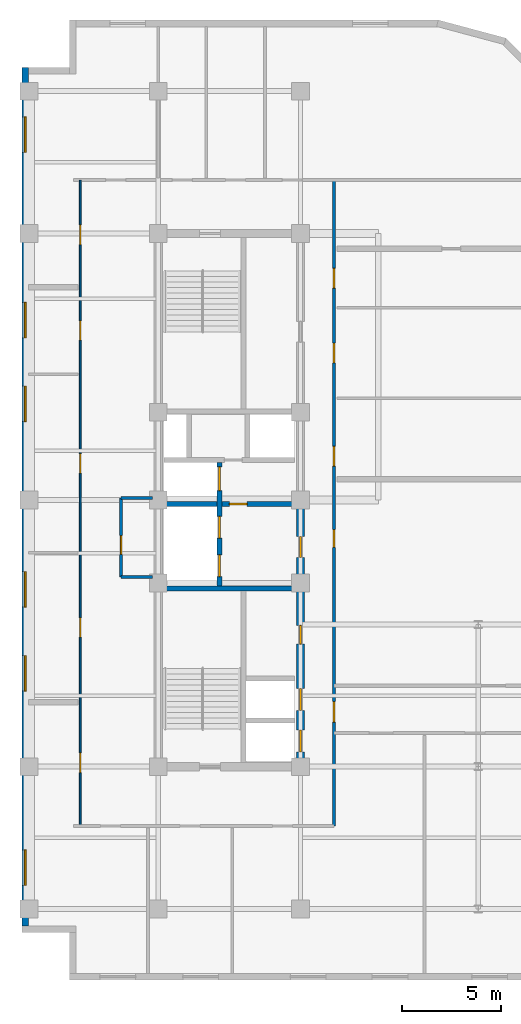
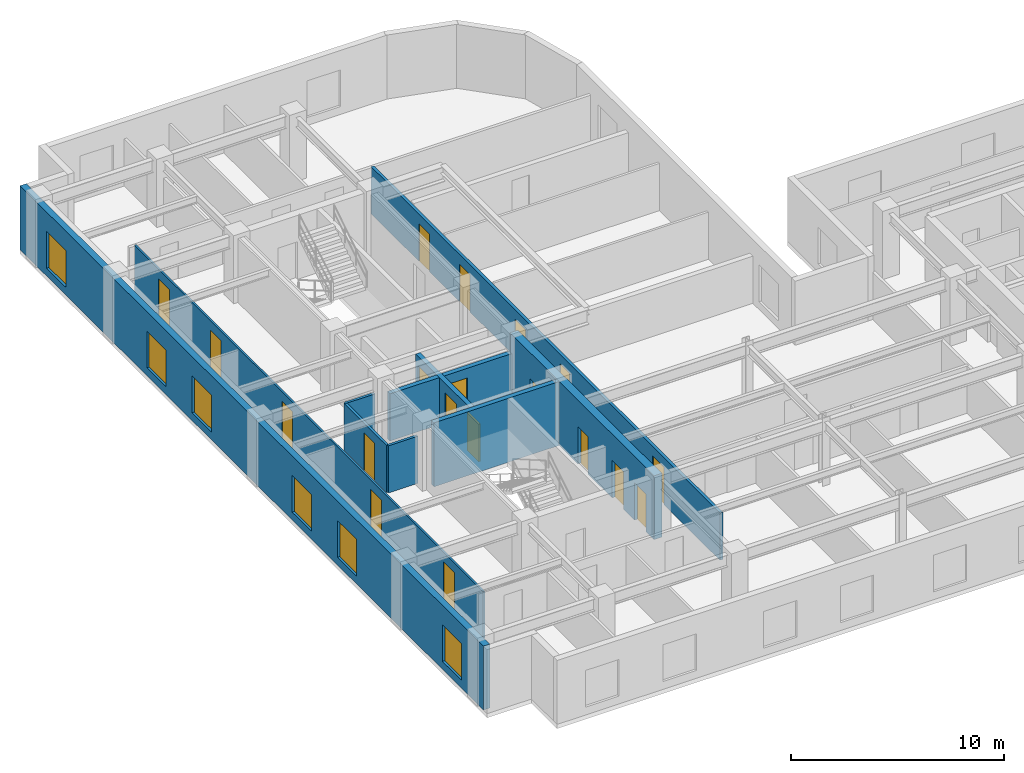
# One storey, part 4 of 10: 19 doors, 10 walls, 6 windows, 25 openings.
"""IFC4 building model written with IfcOpenShell, lengths in metres."""

from ifc_helpers import new_model, entity, si_unit, converted_unit, direction, frame, origin_with_axes, origin_2d_with_axis, place, context, subcontext, project, spatial, polyline, rectangle, outline, extrude, material, layer, layer_set, type_object, element, fill, save


model = new_model("IFC4")

# Units and contexts
model_context = context("Model", 3, precision=1e-05, world=origin_with_axes(), true_north=direction((0.0, 1.0)))
body_context = subcontext(model_context, "Body", "Model", "MODEL_VIEW")
ifc_project = project(units=[si_unit("LENGTHUNIT", "METRE"), si_unit("AREAUNIT", "SQUARE_METRE"), si_unit("VOLUMEUNIT", "CUBIC_METRE"), converted_unit("PLANEANGLEUNIT", "DEGREE", entity("IfcPlaneAngleMeasure", 0.017453292519943295), si_unit("PLANEANGLEUNIT", "RADIAN"), dimensions=[0, 0, 0, 0, 0, 0, 0]), si_unit("MASSUNIT", "GRAM", prefix="KILO"), si_unit("THERMODYNAMICTEMPERATUREUNIT", "KELVIN")], contexts=[model_context])

# Site, building, storey
site_placement = place(None, origin_with_axes())
site = spatial("IfcSite", under=ifc_project, at=site_placement, CompositionType="ELEMENT")
building_placement = place(site_placement, origin_with_axes())
building = spatial("IfcBuilding", under=site, at=building_placement, Name="Varnlund Millrace Tower", CompositionType="ELEMENT")
storey_placement = place(building_placement, frame((0.0, 0.0, 232.5), z_axis=(0.0, 0.0, 1.0), x_axis=(1.0, 0.0, 0.0)))
storey = spatial("IfcBuildingStorey", under=building, at=storey_placement, Name="L57", CompositionType="ELEMENT", Elevation=232.5)

# Wall, openings, doors
ifc_material_1 = material(Name="Concrete C60/75", Category="concrete")
ifc_layer_1 = layer(ifc_material_1, 0.42, Name="Concrete C60/75")
ifc_layer_set_1 = layer_set([ifc_layer_1], Name="Concrete C60/75")
wall_type_1 = type_object("IfcWallType", Name="Type-CoreWall-Shear-420-C60", PredefinedType="SHEAR", material=ifc_layer_set_1)
wall_1_placement = place(storey_placement, frame((18.6, 10.8, 0.0), z_axis=(0.0, 0.0, 1.0), x_axis=(0.0, 1.0, 0.0)))
wall_1 = element("IfcWall", 1, at=wall_1_placement, inside=storey, type_object=wall_type_1, Name="Type-CoreWall-Shear-420-C60", PredefinedType="SHEAR", context=body_context, shape_type="SweptSolid", body=[
    extrude(outline(polyline([(0.0, -0.21), (13.5, -0.21), (13.5, 0.21), (0.0, 0.21), (0.0, -0.21)])), origin_with_axes(), (0.0, 0.0, 1.0), 3.66),
])
opening_1_placement = place(wall_1_placement, frame((1.3, 0.0, 0.0), z_axis=(0.0, 0.0, 1.0), x_axis=(1.0, 0.0, 0.0)))
opening_1 = element("IfcOpeningElement", 2, at=opening_1_placement, cuts=wall_1, Name="Opening L57:LD-ELV-H1", PredefinedType="OPENING", context=body_context, shape_type="SweptSolid", body=[
    extrude(rectangle(XDim=1.1, YDim=0.44, at=origin_2d_with_axis()), origin_with_axes(), (0.0, 0.0, 1.0), 2.15),
])
opening_2_placement = place(wall_1_placement, frame((3.4, 0.0, 0.0), z_axis=(0.0, 0.0, 1.0), x_axis=(1.0, 0.0, 0.0)))
opening_2 = element("IfcOpeningElement", 3, at=opening_2_placement, cuts=wall_1, Name="Opening L57:LD-ELV-H2", PredefinedType="OPENING", context=body_context, shape_type="SweptSolid", body=[
    extrude(rectangle(XDim=1.1, YDim=0.44, at=origin_2d_with_axis()), origin_with_axes(), (0.0, 0.0, 1.0), 2.15),
])
opening_3_placement = place(wall_1_placement, frame((11.125, 0.0, 0.0), z_axis=(0.0, 0.0, 1.0), x_axis=(1.0, 0.0, 0.0)))
opening_3 = element("IfcOpeningElement", 4, at=opening_3_placement, cuts=wall_1, Name="Opening L57:DR-FFLOB-A", PredefinedType="OPENING", context=body_context, shape_type="SweptSolid", body=[
    extrude(rectangle(XDim=1.05, YDim=0.44, at=origin_2d_with_axis()), origin_with_axes(), (0.0, 0.0, 1.0), 2.15),
])
opening_4_placement = place(wall_1_placement, frame((6.675, 0.0, 0.0), z_axis=(0.0, 0.0, 1.0), x_axis=(1.0, 0.0, 0.0)))
opening_4 = element("IfcOpeningElement", 5, at=opening_4_placement, cuts=wall_1, Name="Opening L57:DR-RECL-S1AB", PredefinedType="OPENING", context=body_context, shape_type="SweptSolid", body=[
    extrude(rectangle(XDim=0.95, YDim=0.44, at=origin_2d_with_axis()), origin_with_axes(), (0.0, 0.0, 1.0), 2.15),
])
ifc_material_2 = material(Name="Smoke-barrier hollow steel fire door", Category="steel")
door_type_1 = type_object("IfcDoorType", Name="Type-FireDoor-Lobby-1050X2150", OperationType="NOTDEFINED", PredefinedType="DOOR", material=ifc_material_2)
door_1_placement = place(wall_1_placement, frame((11.125, 0.0, 0.0), z_axis=(0.0, 0.0, 1.0), x_axis=(1.0, 0.0, 0.0)))
door_1 = element("IfcDoor", 6, at=door_1_placement, inside=storey, type_object=door_type_1, Name="Type-FireDoor-Lobby-1050X2150", OperationType="SINGLE_SWING_LEFT", OverallHeight=2.15, OverallWidth=1.05, PredefinedType="DOOR", context=body_context, shape_type="SweptSolid", body=[
    extrude(rectangle(XDim=1.05, YDim=0.09, at=origin_2d_with_axis()), origin_with_axes(), (0.0, 0.0, 1.0), 2.15),
])
fill(opening_3, door_1)
ifc_material_3 = material(Name="Fire-rated hollow steel core service door", Category="steel")
door_type_2 = type_object("IfcDoorType", Name="Type-FireDoor-Service-950X2150", OperationType="NOTDEFINED", PredefinedType="DOOR", material=ifc_material_3)
door_2_placement = place(wall_1_placement, frame((6.675, 0.0, 0.0), z_axis=(0.0, 0.0, 1.0), x_axis=(1.0, 0.0, 0.0)))
door_2 = element("IfcDoor", 7, at=door_2_placement, inside=storey, type_object=door_type_2, Name="Type-FireDoor-Service-950X2150", OperationType="SINGLE_SWING_LEFT", OverallHeight=2.15, OverallWidth=0.95, PredefinedType="DOOR", context=body_context, shape_type="SweptSolid", body=[
    extrude(rectangle(XDim=0.95, YDim=0.09, at=origin_2d_with_axis()), origin_with_axes(), (0.0, 0.0, 1.0), 2.15),
])
fill(opening_4, door_2)
ifc_material_4 = material(Name="Stainless and architectural bronze sliding landing door")
door_type_3 = type_object("IfcDoorType", Name="Type-LiftLandingDoor-1100X2150", OperationType="NOTDEFINED", PredefinedType="DOOR", material=ifc_material_4)
door_3_placement = place(wall_1_placement, frame((1.3, 0.0, 0.0), z_axis=(0.0, 0.0, 1.0), x_axis=(1.0, 0.0, 0.0)))
door_3 = element("IfcDoor", 8, at=door_3_placement, inside=storey, type_object=door_type_3, Name="Type-LiftLandingDoor-1100X2150", OperationType="SLIDING_TO_LEFT", OverallHeight=2.15, OverallWidth=1.1, PredefinedType="DOOR", context=body_context, shape_type="SweptSolid", body=[
    extrude(rectangle(XDim=1.1, YDim=0.09, at=origin_2d_with_axis()), origin_with_axes(), (0.0, 0.0, 1.0), 2.15),
])
fill(opening_1, door_3)
door_4_placement = place(wall_1_placement, frame((3.4, 0.0, 0.0), z_axis=(0.0, 0.0, 1.0), x_axis=(1.0, 0.0, 0.0)))
door_4 = element("IfcDoor", 9, at=door_4_placement, inside=storey, type_object=door_type_3, Name="Type-LiftLandingDoor-1100X2150", OperationType="SLIDING_TO_RIGHT", OverallHeight=2.15, OverallWidth=1.1, PredefinedType="DOOR", context=body_context, shape_type="SweptSolid", body=[
    extrude(rectangle(XDim=1.1, YDim=0.09, at=origin_2d_with_axis()), origin_with_axes(), (0.0, 0.0, 1.0), 2.15),
])
fill(opening_2, door_4)

# Wall, openings, windows
ifc_material_5 = material(Name="Precast concrete C50/60", Category="concrete")
ifc_layer_2 = layer(ifc_material_5, 0.34, Name="Precast concrete C50/60")
ifc_layer_set_2 = layer_set([ifc_layer_2], Name="Precast concrete C50/60")
wall_type_2 = type_object("IfcWallType", Name="Type-ExtWall-Precast-Upper-340", PredefinedType="SOLIDWALL", material=ifc_layer_set_2)
wall_2_placement = place(storey_placement, frame((4.67, 2.74, 0.0), z_axis=(0.0, 0.0, 1.0), x_axis=(0.0, 1.0, 0.0)))
wall_2 = element("IfcWall", 10, at=wall_2_placement, inside=storey, type_object=wall_type_2, Name="Type-ExtWall-Precast-Upper-340", PredefinedType="SOLIDWALL", context=body_context, shape_type="SweptSolid", body=[
    extrude(outline(polyline([(0.0, -0.17), (43.46, -0.17), (43.46, 0.17), (0.0, 0.17), (0.0, -0.17)])), origin_with_axes(), (0.0, 0.0, 1.0), 3.66),
])
opening_5_placement = place(wall_2_placement, frame((2.948, 0.0, 0.45), z_axis=(0.0, 0.0, 1.0), x_axis=(1.0, 0.0, 0.0)))
opening_5 = element("IfcOpeningElement", 11, at=opening_5_placement, cuts=wall_2, Name="Opening L57:WN-16", PredefinedType="OPENING", context=body_context, shape_type="SweptSolid", body=[
    extrude(rectangle(XDim=1.8, YDim=0.36, at=origin_2d_with_axis()), origin_with_axes(), (0.0, 0.0, 1.0), 2.1),
])
opening_6_placement = place(wall_2_placement, frame((12.789, 0.0, 0.45), z_axis=(0.0, 0.0, 1.0), x_axis=(1.0, 0.0, 0.0)))
opening_6 = element("IfcOpeningElement", 12, at=opening_6_placement, cuts=wall_2, Name="Opening L57:WN-17", PredefinedType="OPENING", context=body_context, shape_type="SweptSolid", body=[
    extrude(rectangle(XDim=1.8, YDim=0.36, at=origin_2d_with_axis()), origin_with_axes(), (0.0, 0.0, 1.0), 2.1),
])
opening_7_placement = place(wall_2_placement, frame((17.034, 0.0, 0.45), z_axis=(0.0, 0.0, 1.0), x_axis=(1.0, 0.0, 0.0)))
opening_7 = element("IfcOpeningElement", 13, at=opening_7_placement, cuts=wall_2, Name="Opening L57:WN-18", PredefinedType="OPENING", context=body_context, shape_type="SweptSolid", body=[
    extrude(rectangle(XDim=1.8, YDim=0.36, at=origin_2d_with_axis()), origin_with_axes(), (0.0, 0.0, 1.0), 2.1),
])
opening_8_placement = place(wall_2_placement, frame((26.426, 0.0, 0.45), z_axis=(0.0, 0.0, 1.0), x_axis=(1.0, 0.0, 0.0)))
opening_8 = element("IfcOpeningElement", 14, at=opening_8_placement, cuts=wall_2, Name="Opening L57:WN-19", PredefinedType="OPENING", context=body_context, shape_type="SweptSolid", body=[
    extrude(rectangle(XDim=1.8, YDim=0.36, at=origin_2d_with_axis()), origin_with_axes(), (0.0, 0.0, 1.0), 2.1),
])
opening_9_placement = place(wall_2_placement, frame((30.671, 0.0, 0.45), z_axis=(0.0, 0.0, 1.0), x_axis=(1.0, 0.0, 0.0)))
opening_9 = element("IfcOpeningElement", 15, at=opening_9_placement, cuts=wall_2, Name="Opening L57:WN-20", PredefinedType="OPENING", context=body_context, shape_type="SweptSolid", body=[
    extrude(rectangle(XDim=1.8, YDim=0.36, at=origin_2d_with_axis()), origin_with_axes(), (0.0, 0.0, 1.0), 2.1),
])
opening_10_placement = place(wall_2_placement, frame((40.062, 0.0, 0.45), z_axis=(0.0, 0.0, 1.0), x_axis=(1.0, 0.0, 0.0)))
opening_10 = element("IfcOpeningElement", 16, at=opening_10_placement, cuts=wall_2, Name="Opening L57:WN-21", PredefinedType="OPENING", context=body_context, shape_type="SweptSolid", body=[
    extrude(rectangle(XDim=1.8, YDim=0.36, at=origin_2d_with_axis()), origin_with_axes(), (0.0, 0.0, 1.0), 2.1),
])
ifc_material_6 = material(Name="Argon low-e triple glazing in thermally broken bronze frame", Category="glass")
window_type = type_object("IfcWindowType", Name="Type-Window-Punched-1800X2100", PartitioningType="SINGLE_PANEL", PredefinedType="WINDOW", material=ifc_material_6)
window_1_placement = place(wall_2_placement, frame((2.948, 0.0, 0.45), z_axis=(0.0, 0.0, 1.0), x_axis=(1.0, 0.0, 0.0)))
window_1 = element("IfcWindow", 17, at=window_1_placement, inside=storey, type_object=window_type, Name="Type-Window-Punched-1800X2100", OverallHeight=2.1, OverallWidth=1.8, PredefinedType="WINDOW", context=body_context, shape_type="SweptSolid", body=[
    extrude(rectangle(XDim=1.8, YDim=0.09, at=origin_2d_with_axis()), origin_with_axes(), (0.0, 0.0, 1.0), 2.1),
])
fill(opening_5, window_1)
window_2_placement = place(wall_2_placement, frame((12.789, 0.0, 0.45), z_axis=(0.0, 0.0, 1.0), x_axis=(1.0, 0.0, 0.0)))
window_2 = element("IfcWindow", 18, at=window_2_placement, inside=storey, type_object=window_type, Name="Type-Window-Punched-1800X2100", OverallHeight=2.1, OverallWidth=1.8, PredefinedType="WINDOW", context=body_context, shape_type="SweptSolid", body=[
    extrude(rectangle(XDim=1.8, YDim=0.09, at=origin_2d_with_axis()), origin_with_axes(), (0.0, 0.0, 1.0), 2.1),
])
fill(opening_6, window_2)
window_3_placement = place(wall_2_placement, frame((17.034, 0.0, 0.45), z_axis=(0.0, 0.0, 1.0), x_axis=(1.0, 0.0, 0.0)))
window_3 = element("IfcWindow", 19, at=window_3_placement, inside=storey, type_object=window_type, Name="Type-Window-Punched-1800X2100", OverallHeight=2.1, OverallWidth=1.8, PredefinedType="WINDOW", context=body_context, shape_type="SweptSolid", body=[
    extrude(rectangle(XDim=1.8, YDim=0.09, at=origin_2d_with_axis()), origin_with_axes(), (0.0, 0.0, 1.0), 2.1),
])
fill(opening_7, window_3)
window_4_placement = place(wall_2_placement, frame((26.426, 0.0, 0.45), z_axis=(0.0, 0.0, 1.0), x_axis=(1.0, 0.0, 0.0)))
window_4 = element("IfcWindow", 20, at=window_4_placement, inside=storey, type_object=window_type, Name="Type-Window-Punched-1800X2100", OverallHeight=2.1, OverallWidth=1.8, PredefinedType="WINDOW", context=body_context, shape_type="SweptSolid", body=[
    extrude(rectangle(XDim=1.8, YDim=0.09, at=origin_2d_with_axis()), origin_with_axes(), (0.0, 0.0, 1.0), 2.1),
])
fill(opening_8, window_4)
window_5_placement = place(wall_2_placement, frame((30.671, 0.0, 0.45), z_axis=(0.0, 0.0, 1.0), x_axis=(1.0, 0.0, 0.0)))
window_5 = element("IfcWindow", 21, at=window_5_placement, inside=storey, type_object=window_type, Name="Type-Window-Punched-1800X2100", OverallHeight=2.1, OverallWidth=1.8, PredefinedType="WINDOW", context=body_context, shape_type="SweptSolid", body=[
    extrude(rectangle(XDim=1.8, YDim=0.09, at=origin_2d_with_axis()), origin_with_axes(), (0.0, 0.0, 1.0), 2.1),
])
fill(opening_9, window_5)
window_6_placement = place(wall_2_placement, frame((40.062, 0.0, 0.45), z_axis=(0.0, 0.0, 1.0), x_axis=(1.0, 0.0, 0.0)))
window_6 = element("IfcWindow", 22, at=window_6_placement, inside=storey, type_object=window_type, Name="Type-Window-Punched-1800X2100", OverallHeight=2.1, OverallWidth=1.8, PredefinedType="WINDOW", context=body_context, shape_type="SweptSolid", body=[
    extrude(rectangle(XDim=1.8, YDim=0.09, at=origin_2d_with_axis()), origin_with_axes(), (0.0, 0.0, 1.0), 2.1),
])
fill(opening_10, window_6)

# Wall, openings, doors
ifc_material_7 = material(Name="Fire-rated gypsum board on cold-formed steel framing", Category="steel")
ifc_layer_3 = layer(ifc_material_7, 0.16, Name="Fire-rated gypsum board on cold-formed steel framing")
ifc_layer_set_3 = layer_set([ifc_layer_3], Name="Fire-rated gypsum board on cold-formed steel framing")
wall_type_3 = type_object("IfcWallType", Name="Type-Partition-Corridor-160", PredefinedType="PARTITIONING", material=ifc_layer_set_3)
wall_3_placement = place(storey_placement, frame((20.3, 7.8, 0.0), z_axis=(0.0, 0.0, 1.0), x_axis=(0.0, 1.0, 0.0)))
wall_3 = element("IfcWall", 23, at=wall_3_placement, inside=storey, type_object=wall_type_3, Name="Type-Partition-Corridor-160", PredefinedType="PARTITIONING", context=body_context, shape_type="SweptSolid", body=[
    extrude(outline(polyline([(0.0, -0.08), (32.7, -0.08), (32.7, 0.08), (0.0, 0.08), (0.0, -0.08)])), origin_with_axes(), (0.0, 0.0, 1.0), 2.7),
])
opening_11_placement = place(wall_3_placement, frame((14.55, 0.0, 0.0), z_axis=(0.0, 0.0, 1.0), x_axis=(1.0, 0.0, 0.0)))
opening_11 = element("IfcOpeningElement", 24, at=opening_11_placement, cuts=wall_3, Name="Opening L57:DR-FLR-01", PredefinedType="OPENING", context=body_context, shape_type="SweptSolid", body=[
    extrude(rectangle(XDim=0.9, YDim=0.18, at=origin_2d_with_axis()), origin_with_axes(), (0.0, 0.0, 1.0), 2.15),
])
opening_12_placement = place(wall_3_placement, frame((18.723, 0.0, 0.0), z_axis=(0.0, 0.0, 1.0), x_axis=(1.0, 0.0, 0.0)))
opening_12 = element("IfcOpeningElement", 25, at=opening_12_placement, cuts=wall_3, Name="Opening L57:DR-FLR-02", PredefinedType="OPENING", context=body_context, shape_type="SweptSolid", body=[
    extrude(rectangle(XDim=1.0, YDim=0.18, at=origin_2d_with_axis()), origin_with_axes(), (0.0, 0.0, 1.0), 2.15),
])
opening_13_placement = place(wall_3_placement, frame((23.94, 0.0, 0.0), z_axis=(0.0, 0.0, 1.0), x_axis=(1.0, 0.0, 0.0)))
opening_13 = element("IfcOpeningElement", 26, at=opening_13_placement, cuts=wall_3, Name="Opening L57:DR-FLR-03", PredefinedType="OPENING", context=body_context, shape_type="SweptSolid", body=[
    extrude(rectangle(XDim=1.0, YDim=0.18, at=origin_2d_with_axis()), origin_with_axes(), (0.0, 0.0, 1.0), 2.15),
])
opening_14_placement = place(wall_3_placement, frame((27.732, 0.0, 0.0), z_axis=(0.0, 0.0, 1.0), x_axis=(1.0, 0.0, 0.0)))
opening_14 = element("IfcOpeningElement", 27, at=opening_14_placement, cuts=wall_3, Name="Opening L57:DR-FLR-04", PredefinedType="OPENING", context=body_context, shape_type="SweptSolid", body=[
    extrude(rectangle(XDim=1.0, YDim=0.18, at=origin_2d_with_axis()), origin_with_axes(), (0.0, 0.0, 1.0), 2.15),
])
opening_15_placement = place(wall_3_placement, frame((5.775, 0.0, 0.0), z_axis=(0.0, 0.0, 1.0), x_axis=(1.0, 0.0, 0.0)))
opening_15 = element("IfcOpeningElement", 28, at=opening_15_placement, cuts=wall_3, Name="Opening L57:DR-KN-W", PredefinedType="OPENING", context=body_context, shape_type="SweptSolid", body=[
    extrude(rectangle(XDim=1.05, YDim=0.18, at=origin_2d_with_axis()), origin_with_axes(), (0.0, 0.0, 1.0), 2.15),
])
door_5_placement = place(wall_3_placement, frame((5.775, 0.0, 0.0), z_axis=(0.0, 0.0, 1.0), x_axis=(1.0, 0.0, 0.0)))
door_5 = element("IfcDoor", 29, at=door_5_placement, inside=storey, type_object=door_type_1, Name="Type-FireDoor-Lobby-1050X2150", OperationType="SINGLE_SWING_LEFT", OverallHeight=2.15, OverallWidth=1.05, PredefinedType="DOOR", context=body_context, shape_type="SweptSolid", body=[
    extrude(rectangle(XDim=1.05, YDim=0.09, at=origin_2d_with_axis()), origin_with_axes(), (0.0, 0.0, 1.0), 2.15),
])
fill(opening_15, door_5)
ifc_material_8 = material(Name="Painted steel riser and closet door", Category="steel")
door_type_4 = type_object("IfcDoorType", Name="Type-IntDoor-Closet-900X2150", OperationType="NOTDEFINED", PredefinedType="DOOR", material=ifc_material_8)
door_6_placement = place(wall_3_placement, frame((14.55, 0.0, 0.0), z_axis=(0.0, 0.0, 1.0), x_axis=(1.0, 0.0, 0.0)))
door_6 = element("IfcDoor", 30, at=door_6_placement, inside=storey, type_object=door_type_4, Name="Type-IntDoor-Closet-900X2150", OperationType="SINGLE_SWING_LEFT", OverallHeight=2.15, OverallWidth=0.9, PredefinedType="DOOR", context=body_context, shape_type="SweptSolid", body=[
    extrude(rectangle(XDim=0.9, YDim=0.09, at=origin_2d_with_axis()), origin_with_axes(), (0.0, 0.0, 1.0), 2.15),
])
fill(opening_11, door_6)
ifc_material_9 = material(Name="Solid-core white oak and bronze frame door")
door_type_5 = type_object("IfcDoorType", Name="Type-IntDoor-Office-1000X2150", OperationType="NOTDEFINED", PredefinedType="DOOR", material=ifc_material_9)
door_7_placement = place(wall_3_placement, frame((18.723, 0.0, 0.0), z_axis=(0.0, 0.0, 1.0), x_axis=(1.0, 0.0, 0.0)))
door_7 = element("IfcDoor", 31, at=door_7_placement, inside=storey, type_object=door_type_5, Name="Type-IntDoor-Office-1000X2150", OperationType="SINGLE_SWING_RIGHT", OverallHeight=2.15, OverallWidth=1.0, PredefinedType="DOOR", context=body_context, shape_type="SweptSolid", body=[
    extrude(rectangle(XDim=1.0, YDim=0.09, at=origin_2d_with_axis()), origin_with_axes(), (0.0, 0.0, 1.0), 2.15),
])
fill(opening_12, door_7)
door_8_placement = place(wall_3_placement, frame((23.94, 0.0, 0.0), z_axis=(0.0, 0.0, 1.0), x_axis=(1.0, 0.0, 0.0)))
door_8 = element("IfcDoor", 32, at=door_8_placement, inside=storey, type_object=door_type_5, Name="Type-IntDoor-Office-1000X2150", OperationType="SINGLE_SWING_LEFT", OverallHeight=2.15, OverallWidth=1.0, PredefinedType="DOOR", context=body_context, shape_type="SweptSolid", body=[
    extrude(rectangle(XDim=1.0, YDim=0.09, at=origin_2d_with_axis()), origin_with_axes(), (0.0, 0.0, 1.0), 2.15),
])
fill(opening_13, door_8)
door_9_placement = place(wall_3_placement, frame((27.732, 0.0, 0.0), z_axis=(0.0, 0.0, 1.0), x_axis=(1.0, 0.0, 0.0)))
door_9 = element("IfcDoor", 33, at=door_9_placement, inside=storey, type_object=door_type_5, Name="Type-IntDoor-Office-1000X2150", OperationType="SINGLE_SWING_RIGHT", OverallHeight=2.15, OverallWidth=1.0, PredefinedType="DOOR", context=body_context, shape_type="SweptSolid", body=[
    extrude(rectangle(XDim=1.0, YDim=0.09, at=origin_2d_with_axis()), origin_with_axes(), (0.0, 0.0, 1.0), 2.15),
])
fill(opening_14, door_9)

ifc_material_10 = material(Name="Architectural bronze and acoustic glass office front", Category="glass")
ifc_layer_4 = layer(ifc_material_10, 0.1, Name="Architectural bronze and acoustic glass office front")
ifc_layer_set_4 = layer_set([ifc_layer_4], Name="Architectural bronze and acoustic glass office front")
wall_type_4 = type_object("IfcWallType", Name="Type-Partition-Glazed-100", PredefinedType="PARTITIONING", material=ifc_layer_set_4)
wall_4_placement = place(storey_placement, frame((7.45, 7.8, 0.0), z_axis=(0.0, 0.0, 1.0), x_axis=(0.0, 1.0, 0.0)))
wall_4 = element("IfcWall", 34, at=wall_4_placement, inside=storey, type_object=wall_type_4, Name="Type-Partition-Glazed-100", PredefinedType="PARTITIONING", context=body_context, shape_type="SweptSolid", body=[
    extrude(outline(polyline([(0.0, -0.05), (32.7, -0.05), (32.7, 0.05), (0.0, 0.05), (0.0, -0.05)])), origin_with_axes(), (0.0, 0.0, 1.0), 2.7),
])
opening_16_placement = place(wall_4_placement, frame((3.195, 0.0, 0.0), z_axis=(0.0, 0.0, 1.0), x_axis=(1.0, 0.0, 0.0)))
opening_16 = element("IfcOpeningElement", 35, at=opening_16_placement, cuts=wall_4, Name="Opening L57:DR-W-01", PredefinedType="OPENING", context=body_context, shape_type="SweptSolid", body=[
    extrude(rectangle(XDim=1.0, YDim=0.12, at=origin_2d_with_axis()), origin_with_axes(), (0.0, 0.0, 1.0), 2.15),
])
opening_17_placement = place(wall_4_placement, frame((10.044, 0.0, 0.0), z_axis=(0.0, 0.0, 1.0), x_axis=(1.0, 0.0, 0.0)))
opening_17 = element("IfcOpeningElement", 36, at=opening_17_placement, cuts=wall_4, Name="Opening L57:DR-W-02", PredefinedType="OPENING", context=body_context, shape_type="SweptSolid", body=[
    extrude(rectangle(XDim=1.0, YDim=0.12, at=origin_2d_with_axis()), origin_with_axes(), (0.0, 0.0, 1.0), 2.15),
])
opening_18_placement = place(wall_4_placement, frame((18.3525, 0.0, 0.0), z_axis=(0.0, 0.0, 1.0), x_axis=(1.0, 0.0, 0.0)))
opening_18 = element("IfcOpeningElement", 37, at=opening_18_placement, cuts=wall_4, Name="Opening L57:DR-W-03", PredefinedType="OPENING", context=body_context, shape_type="SweptSolid", body=[
    extrude(rectangle(XDim=1.0, YDim=0.12, at=origin_2d_with_axis()), origin_with_axes(), (0.0, 0.0, 1.0), 2.15),
])
opening_19_placement = place(wall_4_placement, frame((25.0795, 0.0, 0.0), z_axis=(0.0, 0.0, 1.0), x_axis=(1.0, 0.0, 0.0)))
opening_19 = element("IfcOpeningElement", 38, at=opening_19_placement, cuts=wall_4, Name="Opening L57:DR-W-04", PredefinedType="OPENING", context=body_context, shape_type="SweptSolid", body=[
    extrude(rectangle(XDim=1.0, YDim=0.12, at=origin_2d_with_axis()), origin_with_axes(), (0.0, 0.0, 1.0), 2.15),
])
opening_20_placement = place(wall_4_placement, frame((29.926, 0.0, 0.0), z_axis=(0.0, 0.0, 1.0), x_axis=(1.0, 0.0, 0.0)))
opening_20 = element("IfcOpeningElement", 39, at=opening_20_placement, cuts=wall_4, Name="Opening L57:DR-W-05", PredefinedType="OPENING", context=body_context, shape_type="SweptSolid", body=[
    extrude(rectangle(XDim=1.0, YDim=0.12, at=origin_2d_with_axis()), origin_with_axes(), (0.0, 0.0, 1.0), 2.15),
])
door_10_placement = place(wall_4_placement, frame((3.195, 0.0, 0.0), z_axis=(0.0, 0.0, 1.0), x_axis=(1.0, 0.0, 0.0)))
door_10 = element("IfcDoor", 40, at=door_10_placement, inside=storey, type_object=door_type_5, Name="Type-IntDoor-Office-1000X2150", OperationType="SINGLE_SWING_LEFT", OverallHeight=2.15, OverallWidth=1.0, PredefinedType="DOOR", context=body_context, shape_type="SweptSolid", body=[
    extrude(rectangle(XDim=1.0, YDim=0.06, at=origin_2d_with_axis()), origin_with_axes(), (0.0, 0.0, 1.0), 2.15),
])
fill(opening_16, door_10)
door_11_placement = place(wall_4_placement, frame((10.044, 0.0, 0.0), z_axis=(0.0, 0.0, 1.0), x_axis=(1.0, 0.0, 0.0)))
door_11 = element("IfcDoor", 41, at=door_11_placement, inside=storey, type_object=door_type_5, Name="Type-IntDoor-Office-1000X2150", OperationType="SINGLE_SWING_RIGHT", OverallHeight=2.15, OverallWidth=1.0, PredefinedType="DOOR", context=body_context, shape_type="SweptSolid", body=[
    extrude(rectangle(XDim=1.0, YDim=0.06, at=origin_2d_with_axis()), origin_with_axes(), (0.0, 0.0, 1.0), 2.15),
])
fill(opening_17, door_11)
door_12_placement = place(wall_4_placement, frame((18.3525, 0.0, 0.0), z_axis=(0.0, 0.0, 1.0), x_axis=(1.0, 0.0, 0.0)))
door_12 = element("IfcDoor", 42, at=door_12_placement, inside=storey, type_object=door_type_5, Name="Type-IntDoor-Office-1000X2150", OperationType="SINGLE_SWING_LEFT", OverallHeight=2.15, OverallWidth=1.0, PredefinedType="DOOR", context=body_context, shape_type="SweptSolid", body=[
    extrude(rectangle(XDim=1.0, YDim=0.06, at=origin_2d_with_axis()), origin_with_axes(), (0.0, 0.0, 1.0), 2.15),
])
fill(opening_18, door_12)
door_13_placement = place(wall_4_placement, frame((25.0795, 0.0, 0.0), z_axis=(0.0, 0.0, 1.0), x_axis=(1.0, 0.0, 0.0)))
door_13 = element("IfcDoor", 43, at=door_13_placement, inside=storey, type_object=door_type_5, Name="Type-IntDoor-Office-1000X2150", OperationType="SINGLE_SWING_RIGHT", OverallHeight=2.15, OverallWidth=1.0, PredefinedType="DOOR", context=body_context, shape_type="SweptSolid", body=[
    extrude(rectangle(XDim=1.0, YDim=0.06, at=origin_2d_with_axis()), origin_with_axes(), (0.0, 0.0, 1.0), 2.15),
])
fill(opening_19, door_13)
door_14_placement = place(wall_4_placement, frame((29.926, 0.0, 0.0), z_axis=(0.0, 0.0, 1.0), x_axis=(1.0, 0.0, 0.0)))
door_14 = element("IfcDoor", 44, at=door_14_placement, inside=storey, type_object=door_type_5, Name="Type-IntDoor-Office-1000X2150", OperationType="SINGLE_SWING_LEFT", OverallHeight=2.15, OverallWidth=1.0, PredefinedType="DOOR", context=body_context, shape_type="SweptSolid", body=[
    extrude(rectangle(XDim=1.0, YDim=0.06, at=origin_2d_with_axis()), origin_with_axes(), (0.0, 0.0, 1.0), 2.15),
])
fill(opening_20, door_14)

# Wall, opening, door
ifc_material_11 = material(Name="Moisture-resistant gypsum restroom partition", Category="gypsum")
ifc_layer_5 = layer(ifc_material_11, 0.14, Name="Moisture-resistant gypsum restroom partition")
ifc_layer_set_5 = layer_set([ifc_layer_5], Name="Moisture-resistant gypsum restroom partition")
wall_type_5 = type_object("IfcWallType", Name="Type-Partition-Wet-140", PredefinedType="PARTITIONING", material=ifc_layer_set_5)
wall_5_placement = place(storey_placement, frame((9.52, 20.4, 0.0), z_axis=(0.0, 0.0, 1.0), x_axis=(0.0, 1.0, 0.0)))
wall_5 = element("IfcWall", 45, at=wall_5_placement, inside=storey, type_object=wall_type_5, Name="Type-Partition-Wet-140", PredefinedType="PARTITIONING", context=body_context, shape_type="SweptSolid", body=[
    extrude(outline(polyline([(0.0, -0.07), (4.0, -0.07), (4.0, 0.07), (0.0, 0.07), (0.0, -0.07)])), origin_with_axes(), (0.0, 0.0, 1.0), 2.7),
])
opening_21_placement = place(wall_5_placement, frame((1.625, 0.0, 0.0), z_axis=(0.0, 0.0, 1.0), x_axis=(1.0, 0.0, 0.0)))
opening_21 = element("IfcOpeningElement", 46, at=opening_21_placement, cuts=wall_5, Name="Opening L57:DR-CA-WCW", PredefinedType="OPENING", context=body_context, shape_type="SweptSolid", body=[
    extrude(rectangle(XDim=0.95, YDim=0.16, at=origin_2d_with_axis()), origin_with_axes(), (0.0, 0.0, 1.0), 2.15),
])
ifc_material_12 = material(Name="Solid-core acoustic office door")
door_type_6 = type_object("IfcDoorType", Name="Type-IntDoor-Tenant-950X2150", OperationType="NOTDEFINED", PredefinedType="DOOR", material=ifc_material_12)
door_15_placement = place(wall_5_placement, frame((1.625, 0.0, 0.0), z_axis=(0.0, 0.0, 1.0), x_axis=(1.0, 0.0, 0.0)))
door_15 = element("IfcDoor", 47, at=door_15_placement, inside=storey, type_object=door_type_6, Name="Type-IntDoor-Tenant-950X2150", OperationType="SINGLE_SWING_LEFT", OverallHeight=2.15, OverallWidth=0.95, PredefinedType="DOOR", context=body_context, shape_type="SweptSolid", body=[
    extrude(rectangle(XDim=0.95, YDim=0.084, at=origin_2d_with_axis()), origin_with_axes(), (0.0, 0.0, 1.0), 2.15),
])
fill(opening_21, door_15)

# Walls
for number, where, z_axis, x_axis, name in (
    (48, (9.52, 20.4, 0.0), (0.0, 0.0, 1.0), (1.0, 0.0, 0.0), "Type-Partition-Wet-140"),
    (49, (9.52, 24.4, 0.0), (0.0, 0.0, 1.0), (1.0, 0.0, 0.0), "Type-Partition-Wet-140"),
):
    element("IfcWall", number, at=place(storey_placement, frame(where, z_axis=z_axis, x_axis=x_axis)), inside=storey, type_object=wall_type_5, Name=name, PredefinedType="PARTITIONING", context=body_context, shape_type="SweptSolid", body=[
        extrude(outline(polyline([(0.0, -0.07), (1.58, -0.07), (1.58, 0.07), (0.0, 0.07), (0.0, -0.07)])), origin_with_axes(), (0.0, 0.0, 1.0), 2.7),
    ])

# Wall, openings, doors
ifc_layer_6 = layer(ifc_material_1, 0.25, Name="Concrete C60/75")
ifc_layer_set_6 = layer_set([ifc_layer_6], Name="Concrete C60/75")
wall_type_6 = type_object("IfcWallType", Name="Type-ShaftWall-Fire-250", PredefinedType="SOLIDWALL", material=ifc_layer_set_6)
wall_6_placement = place(storey_placement, frame((14.5, 19.95, 0.0), z_axis=(0.0, 0.0, 1.0), x_axis=(0.0, 1.0, 0.0)))
wall_6 = element("IfcWall", 50, at=wall_6_placement, inside=storey, type_object=wall_type_6, Name="Type-ShaftWall-Fire-250", PredefinedType="SOLIDWALL", context=body_context, shape_type="SweptSolid", body=[
    extrude(outline(polyline([(0.0, -0.125), (6.25, -0.125), (6.25, 0.125), (0.0, 0.125), (0.0, -0.125)])), origin_with_axes(), (0.0, 0.0, 1.0), 2.7),
])
opening_22_placement = place(wall_6_placement, frame((1.025, 0.0, 0.0), z_axis=(0.0, 0.0, 1.0), x_axis=(1.0, 0.0, 0.0)))
opening_22 = element("IfcOpeningElement", 51, at=opening_22_placement, cuts=wall_6, Name="Opening L57:LD-FSAE1", PredefinedType="OPENING", context=body_context, shape_type="SweptSolid", body=[
    extrude(rectangle(XDim=1.1, YDim=0.27, at=origin_2d_with_axis()), origin_with_axes(), (0.0, 0.0, 1.0), 2.15),
])
opening_23_placement = place(wall_6_placement, frame((2.975, 0.0, 0.0), z_axis=(0.0, 0.0, 1.0), x_axis=(1.0, 0.0, 0.0)))
opening_23 = element("IfcOpeningElement", 52, at=opening_23_placement, cuts=wall_6, Name="Opening L57:LD-FSAE2", PredefinedType="OPENING", context=body_context, shape_type="SweptSolid", body=[
    extrude(rectangle(XDim=1.1, YDim=0.27, at=origin_2d_with_axis()), origin_with_axes(), (0.0, 0.0, 1.0), 2.15),
])
opening_24_placement = place(wall_6_placement, frame((5.425, 0.0, 0.0), z_axis=(0.0, 0.0, 1.0), x_axis=(1.0, 0.0, 0.0)))
opening_24 = element("IfcOpeningElement", 53, at=opening_24_placement, cuts=wall_6, Name="Opening L57:LD-SRV1", PredefinedType="OPENING", context=body_context, shape_type="SweptSolid", body=[
    extrude(rectangle(XDim=1.2, YDim=0.27, at=origin_2d_with_axis()), origin_with_axes(), (0.0, 0.0, 1.0), 2.15),
])
door_16_placement = place(wall_6_placement, frame((1.025, 0.0, 0.0), z_axis=(0.0, 0.0, 1.0), x_axis=(1.0, 0.0, 0.0)))
door_16 = element("IfcDoor", 54, at=door_16_placement, inside=storey, type_object=door_type_3, Name="Type-LiftLandingDoor-1100X2150", OperationType="SLIDING_TO_LEFT", OverallHeight=2.15, OverallWidth=1.1, PredefinedType="DOOR", context=body_context, shape_type="SweptSolid", body=[
    extrude(rectangle(XDim=1.1, YDim=0.09, at=origin_2d_with_axis()), origin_with_axes(), (0.0, 0.0, 1.0), 2.15),
])
fill(opening_22, door_16)
door_17_placement = place(wall_6_placement, frame((2.975, 0.0, 0.0), z_axis=(0.0, 0.0, 1.0), x_axis=(1.0, 0.0, 0.0)))
door_17 = element("IfcDoor", 55, at=door_17_placement, inside=storey, type_object=door_type_3, Name="Type-LiftLandingDoor-1100X2150", OperationType="SLIDING_TO_RIGHT", OverallHeight=2.15, OverallWidth=1.1, PredefinedType="DOOR", context=body_context, shape_type="SweptSolid", body=[
    extrude(rectangle(XDim=1.1, YDim=0.09, at=origin_2d_with_axis()), origin_with_axes(), (0.0, 0.0, 1.0), 2.15),
])
fill(opening_23, door_17)
ifc_material_13 = material(Name="Heavy-duty freight sliding landing door")
door_type_7 = type_object("IfcDoorType", Name="Type-LiftLandingDoor-Service-1200X2150", OperationType="NOTDEFINED", PredefinedType="DOOR", material=ifc_material_13)
door_18_placement = place(wall_6_placement, frame((5.425, 0.0, 0.0), z_axis=(0.0, 0.0, 1.0), x_axis=(1.0, 0.0, 0.0)))
door_18 = element("IfcDoor", 56, at=door_18_placement, inside=storey, type_object=door_type_7, Name="Type-LiftLandingDoor-Service-1200X2150", OperationType="DOUBLE_DOOR_SLIDING", OverallHeight=2.15, OverallWidth=1.2, PredefinedType="DOOR", context=body_context, shape_type="SweptSolid", body=[
    extrude(rectangle(XDim=1.2, YDim=0.09, at=origin_2d_with_axis()), origin_with_axes(), (0.0, 0.0, 1.0), 2.15),
])
fill(opening_24, door_18)

# Wall, opening, door
wall_7_placement = place(storey_placement, frame((11.7, 24.1, 0.0), z_axis=(0.0, 0.0, 1.0), x_axis=(1.0, 0.0, 0.0)))
wall_7 = element("IfcWall", 57, at=wall_7_placement, inside=storey, type_object=wall_type_6, Name="Type-ShaftWall-Fire-250", PredefinedType="SOLIDWALL", context=body_context, shape_type="SweptSolid", body=[
    extrude(outline(polyline([(0.0, -0.125), (6.6, -0.125), (6.6, 0.125), (0.0, 0.125), (0.0, -0.125)])), origin_with_axes(), (0.0, 0.0, 1.0), 2.7),
])
opening_25_placement = place(wall_7_placement, frame((3.75, 0.0, 0.0), z_axis=(0.0, 0.0, 1.0), x_axis=(1.0, 0.0, 0.0)))
opening_25 = element("IfcOpeningElement", 58, at=opening_25_placement, cuts=wall_7, Name="Opening L57:DR-CA-SRV1", PredefinedType="OPENING", context=body_context, shape_type="SweptSolid", body=[
    extrude(rectangle(XDim=0.9, YDim=0.27, at=origin_2d_with_axis()), origin_with_axes(), (0.0, 0.0, 1.0), 2.15),
])
ifc_material_14 = material(Name="Fire-rated hollow steel service closet door", Category="steel")
door_type_8 = type_object("IfcDoorType", Name="Type-FireDoor-Closet-900X2150", OperationType="NOTDEFINED", PredefinedType="DOOR", material=ifc_material_14)
door_19_placement = place(wall_7_placement, frame((3.75, 0.0, 0.0), z_axis=(0.0, 0.0, 1.0), x_axis=(1.0, 0.0, 0.0)))
door_19 = element("IfcDoor", 59, at=door_19_placement, inside=storey, type_object=door_type_8, Name="Type-FireDoor-Closet-900X2150", OperationType="SINGLE_SWING_LEFT", OverallHeight=2.15, OverallWidth=0.9, PredefinedType="DOOR", context=body_context, shape_type="SweptSolid", body=[
    extrude(rectangle(XDim=0.9, YDim=0.09, at=origin_2d_with_axis()), origin_with_axes(), (0.0, 0.0, 1.0), 2.15),
])
fill(opening_25, door_19)

# Wall
wall_type_7 = type_object("IfcWallType", Name="Type-StairWall-Shear-250", PredefinedType="SHEAR", material=ifc_layer_set_6)
wall_8_placement = place(storey_placement, frame((11.61, 19.825, 0.0), z_axis=(0.0, 0.0, 1.0), x_axis=(1.0, 0.0, 0.0)))
element("IfcWall", 60, at=wall_8_placement, inside=storey, type_object=wall_type_7, Name="Type-StairWall-Shear-250", PredefinedType="SHEAR", context=body_context, shape_type="SweptSolid", body=[
    extrude(outline(polyline([(0.0, -0.125), (6.78, -0.125), (6.78, 0.125), (0.0, 0.125), (0.0, -0.125)])), origin_with_axes(), (0.0, 0.0, 1.0), 3.66),
])

save(model, "model.ifc")
